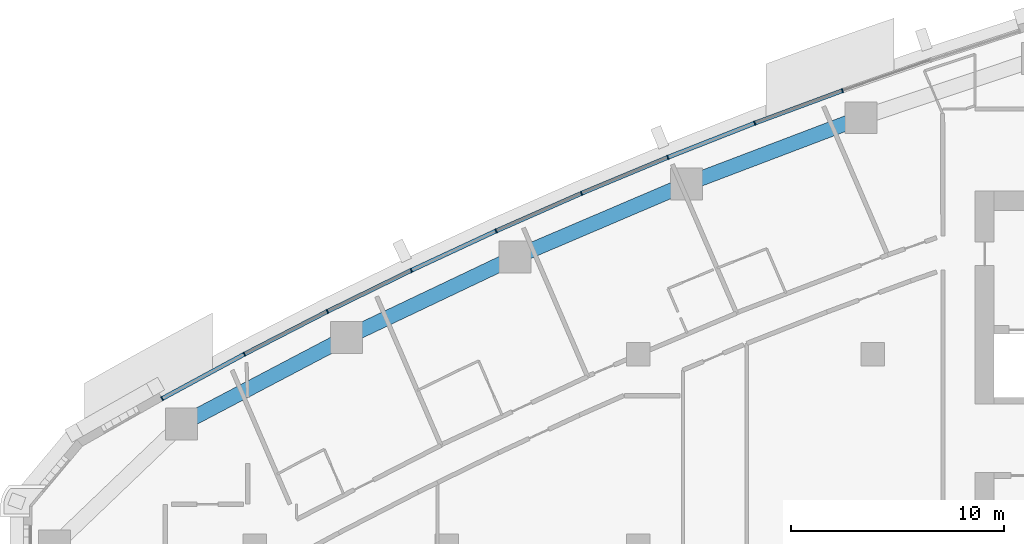
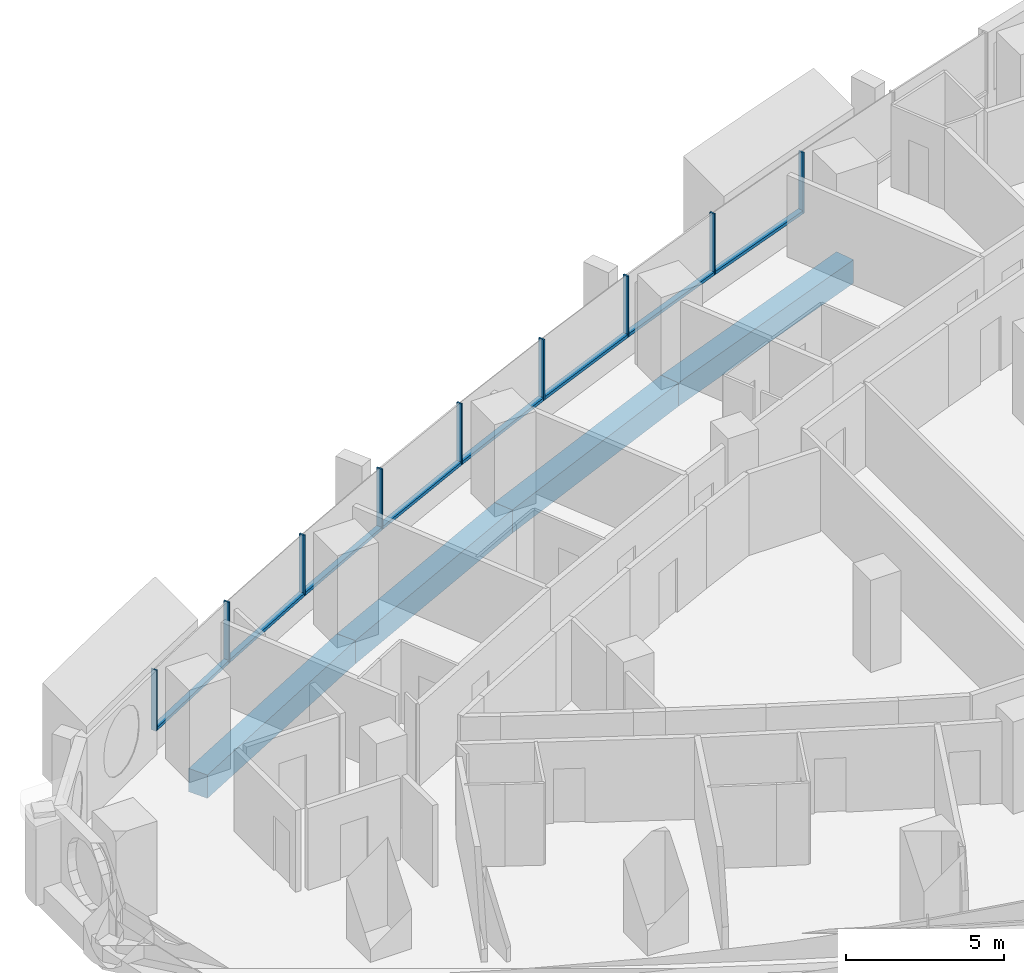
# One storey, part 5 of 17: 17 members, 4 beams, 5 elements without a shape of their own.
"""IFC4 building model written with IfcOpenShell, lengths in metres."""

from ifc_helpers import new_model, si_unit, direction, frame, origin, origin_2d, place, context, subcontext, project, spatial, rectangle, extrude, material, layer, layer_set, material_profile, profile_set, type_object, element, aggregate, save


model = new_model("IFC4")

# Units and contexts
model_context = context("Model", 3, precision=1e-05, world=origin(), true_north=direction((0.0, 1.0)))
body_context = subcontext(model_context, "Body", "Model", "MODEL_VIEW")
ifc_project = project(units=[si_unit("LENGTHUNIT", "METRE"), si_unit("AREAUNIT", "SQUARE_METRE"), si_unit("VOLUMEUNIT", "CUBIC_METRE"), si_unit("PLANEANGLEUNIT", "RADIAN"), si_unit("MASSUNIT", "GRAM", prefix="KILO")], contexts=[model_context])

# Site, building, storey
site_placement = place(None, origin())
site = spatial("IfcSite", under=ifc_project, at=site_placement, CompositionType="ELEMENT")
building_placement = place(site_placement, origin())
building = spatial("IfcBuilding", under=site, at=building_placement, Name="Ostrand Prow Hotel Tower", CompositionType="ELEMENT")
storey_placement = place(building_placement, frame((0.0, 0.0, 162.14990234375)))
storey = spatial("IfcBuildingStorey", under=building, at=storey_placement, Name="L40", CompositionType="ELEMENT", Elevation=162.14990234375)

# Beams
ifc_material_1 = material(Name="Concrete C70/85", Category="concrete")
ifc_material_profile_1 = material_profile(ifc_material_1, rectangle(XDim=0.699951171875, YDim=0.89990234375, at=origin_2d()), Name="RC 700x900")
ifc_profile_set_1 = profile_set([ifc_material_profile_1], Name="Concrete C70/85")
beam_type = type_object("IfcBeamType", Name="Edge beam 700x900 C70/85", PredefinedType="SPANDREL", material=ifc_profile_set_1)
for number, where, z_axis, x_axis, name in (
    (1, (44.438232421875, 20.093017578125, -0.75), (-0.93479358236, -0.355191439055, 0.0), (0.355191439055, -0.93479358236, 0.0), "Edge beam N2-N3"),
    (2, (36.255615234375, 16.98388671875, -0.75), (-0.919700966994, -0.392619575811, 0.0), (0.392619575811, -0.919700966994, 0.0), "Edge beam N3-N4"),
    (3, (28.205078125, 13.547119140625, -0.75), (-0.903083113352, -0.429465819803, 0.0), (0.429465819803, -0.903083113352, 0.0), "Edge beam N4-N5"),
    (4, (20.300048828125, 9.787841796875, -0.75), (-0.885016215308, -0.465560198731, 0.0), (0.465560198731, -0.885016215308, 0.0), "Edge beam N5-N6"),
):
    element("IfcBeam", number, at=place(storey_placement, frame(where, z_axis=z_axis, x_axis=x_axis)), inside=storey, type_object=beam_type, Name=name, PredefinedType="SPANDREL", context=body_context, shape_type="SweptSolid", body=[
        extrude(rectangle(XDim=0.699951171875, YDim=0.89990234375, at=origin_2d()), origin(), (0.0, 0.0, 1.0), 8.75341796875),
    ])

# Curtain wall, member
ifc_material_2 = material(Name="Insulated glass in bronze anodised frame", Category="glass")
ifc_layer = layer(ifc_material_2, 0.199951171875)
ifc_layer_set = layer_set([ifc_layer], Name="Insulated glass in bronze anodised frame")
curtain_wall_type = type_object("IfcCurtainWallType", Name="Strip curtain wall, fritted glass over bronze spandrel", PredefinedType="NOTDEFINED", material=ifc_layer_set)
curtain_wall_1_placement = place(storey_placement, origin())
curtain_wall_1 = element("IfcCurtainWall", 5, at=curtain_wall_1_placement, inside=storey, type_object=curtain_wall_type, Name="CW1 run CWN1", PredefinedType="NOTDEFINED")
ifc_material_3 = material(Name="Bronze anodised aluminium", Category="aluminium")
ifc_material_profile_2 = material_profile(ifc_material_3, rectangle(XDim=0.199951171875, YDim=0.06005859375, at=origin_2d()), Name="Mullion 60x200 bronze anodised aluminium")
ifc_profile_set_2 = profile_set([ifc_material_profile_2], Name="Bronze anodised aluminium")
member_type_1 = type_object("IfcMemberType", Name="Mullion 60x200 bronze anodised aluminium", PredefinedType="MULLION", material=ifc_profile_set_2)
member_1_placement = place(storey_placement, frame((43.5751953125, 21.3642578125, 0.900146484375), z_axis=(0.0, 0.0, 1.0), x_axis=(0.328428177424, -0.944528947293, 0.0)))
member_1 = element("IfcMember", 6, at=member_1_placement, type_object=member_type_1, Name="CW1 mullion 3", PredefinedType="MULLION", context=body_context, shape_type="SweptSolid", body=[
    extrude(rectangle(XDim=0.199951171875, YDim=0.06005859375, at=origin_2d()), origin(), (0.0, 0.0, 1.0), 2.349853515625),
])
aggregate(curtain_wall_1, [member_1])

# Curtain wall, members
curtain_wall_2_placement = place(storey_placement, origin())
curtain_wall_2 = element("IfcCurtainWall", 7, at=curtain_wall_2_placement, inside=storey, type_object=curtain_wall_type, Name="CW1 run CWN2", PredefinedType="NOTDEFINED")
member_2_placement = place(storey_placement, frame((39.462158203125, 19.8408203125, 0.900146484375), z_axis=(0.0, 0.0, 1.0), x_axis=(0.366116334636, -0.930569089059, 0.0)))
member_2 = element("IfcMember", 8, at=member_2_placement, type_object=member_type_1, Name="CW1 mullion 2", PredefinedType="MULLION", context=body_context, shape_type="SweptSolid", body=[
    extrude(rectangle(XDim=0.199951171875, YDim=0.06005859375, at=origin_2d()), origin(), (0.0, 0.0, 1.0), 2.349853515625),
])
member_3_placement = place(storey_placement, frame((35.380615234375, 18.235107421875, 0.900146484375), z_axis=(0.0, 0.0, 1.0), x_axis=(0.366116334636, -0.930569089059, 0.0)))
member_3 = element("IfcMember", 9, at=member_3_placement, type_object=member_type_1, Name="CW1 mullion 3", PredefinedType="MULLION", context=body_context, shape_type="SweptSolid", body=[
    extrude(rectangle(XDim=0.199951171875, YDim=0.06005859375, at=origin_2d()), origin(), (0.0, 0.0, 1.0), 2.349853515625),
])

curtain_wall_3_placement = place(storey_placement, origin())
curtain_wall_3 = element("IfcCurtainWall", 10, at=curtain_wall_3_placement, inside=storey, type_object=curtain_wall_type, Name="CW1 run CWN3", PredefinedType="NOTDEFINED")
member_4_placement = place(storey_placement, frame((31.332275390625, 16.54736328125, 0.900146484375), z_axis=(0.0, 0.0, 1.0), x_axis=(0.403213113347, -0.915106105993, 0.0)))
member_4 = element("IfcMember", 11, at=member_4_placement, type_object=member_type_1, Name="CW1 mullion 2", PredefinedType="MULLION", context=body_context, shape_type="SweptSolid", body=[
    extrude(rectangle(XDim=0.199951171875, YDim=0.06005859375, at=origin_2d()), origin(), (0.0, 0.0, 1.0), 2.349853515625),
])
member_5_placement = place(storey_placement, frame((27.318359375, 14.77880859375, 0.900146484375), z_axis=(0.0, 0.0, 1.0), x_axis=(0.403213113347, -0.915106105993, 0.0)))
member_5 = element("IfcMember", 12, at=member_5_placement, type_object=member_type_1, Name="CW1 mullion 3", PredefinedType="MULLION", context=body_context, shape_type="SweptSolid", body=[
    extrude(rectangle(XDim=0.199951171875, YDim=0.06005859375, at=origin_2d()), origin(), (0.0, 0.0, 1.0), 2.349853515625),
])

curtain_wall_4_placement = place(storey_placement, origin())
curtain_wall_4 = element("IfcCurtainWall", 13, at=curtain_wall_4_placement, inside=storey, type_object=curtain_wall_type, Name="CW1 run CWN4", PredefinedType="NOTDEFINED")
member_6_placement = place(storey_placement, frame((23.341064453125, 12.93017578125, 0.900146484375), z_axis=(0.0, 0.0, 1.0), x_axis=(0.439658592061, -0.898164975061, 0.0)))
member_6 = element("IfcMember", 14, at=member_6_placement, type_object=member_type_1, Name="CW1 mullion 2", PredefinedType="MULLION", context=body_context, shape_type="SweptSolid", body=[
    extrude(rectangle(XDim=0.199951171875, YDim=0.06005859375, at=origin_2d()), origin(), (0.0, 0.0, 1.0), 2.349853515625),
])
member_7_placement = place(storey_placement, frame((19.401611328125, 11.001708984375, 0.900146484375), z_axis=(0.0, 0.0, 1.0), x_axis=(0.439658592061, -0.898164975061, 0.0)))
member_7 = element("IfcMember", 15, at=member_7_placement, type_object=member_type_1, Name="CW1 mullion 3", PredefinedType="MULLION", context=body_context, shape_type="SweptSolid", body=[
    extrude(rectangle(XDim=0.199951171875, YDim=0.06005859375, at=origin_2d()), origin(), (0.0, 0.0, 1.0), 2.349853515625),
])

curtain_wall_5_placement = place(storey_placement, origin())
curtain_wall_5 = element("IfcCurtainWall", 16, at=curtain_wall_5_placement, inside=storey, type_object=curtain_wall_type, Name="CW1 run CWN5", PredefinedType="NOTDEFINED")
member_8_placement = place(storey_placement, frame((15.501708984375, 8.99462890625, 0.900146484375), z_axis=(0.0, 0.0, 1.0), x_axis=(0.475393901316, -0.879773060847, 0.0)))
member_8 = element("IfcMember", 17, at=member_8_placement, type_object=member_type_1, Name="CW1 mullion 2", PredefinedType="MULLION", context=body_context, shape_type="SweptSolid", body=[
    extrude(rectangle(XDim=0.199951171875, YDim=0.06005859375, at=origin_2d()), origin(), (0.0, 0.0, 1.0), 2.349853515625),
])
member_9_placement = place(storey_placement, frame((11.64306640625, 6.909423828125, 0.900146484375), z_axis=(0.0, 0.0, 1.0), x_axis=(0.475393901316, -0.879773060847, 0.0)))
member_9 = element("IfcMember", 18, at=member_9_placement, type_object=member_type_1, Name="CW1 mullion 3", PredefinedType="MULLION", context=body_context, shape_type="SweptSolid", body=[
    extrude(rectangle(XDim=0.199951171875, YDim=0.06005859375, at=origin_2d()), origin(), (0.0, 0.0, 1.0), 2.349853515625),
])

# Member
ifc_material_4 = material(Name="Bronze anodised aluminium", Category="aluminium")
ifc_material_profile_3 = material_profile(ifc_material_4, rectangle(XDim=0.199951171875, YDim=0.1201171875, at=origin_2d()), Name="Transom 120x200 bronze anodised aluminium")
ifc_profile_set_3 = profile_set([ifc_material_profile_3], Name="Bronze anodised aluminium")
member_type_2 = type_object("IfcMemberType", Name="Transom 120x200 bronze anodised aluminium", PredefinedType="USERDEFINED", material=ifc_profile_set_3)
member_10_placement = place(storey_placement, frame((43.547119140625, 21.353759765625, 0.960205078125), z_axis=(-0.937756929379, -0.347292299657, 0.0), x_axis=(0.347292299657, -0.937756929379, 0.0)))
member_10 = element("IfcMember", 19, at=member_10_placement, type_object=member_type_2, Name="CW1 transom 1.1", ObjectType="TRANSOM", PredefinedType="USERDEFINED", context=body_context, shape_type="SweptSolid", body=[
    extrude(rectangle(XDim=0.199951171875, YDim=0.1201171875, at=origin_2d()), origin(), (0.0, 0.0, 1.0), 4.326171875),
])

member_11_placement = place(storey_placement, frame((39.434326171875, 19.829833984375, 0.960205078125), z_axis=(-0.930563430162, -0.366130717701, 0.0), x_axis=(0.366130717701, -0.930563430162, 0.0)))
member_11 = element("IfcMember", 20, at=member_11_placement, type_object=member_type_2, Name="CW1 transom 2.1", ObjectType="TRANSOM", PredefinedType="USERDEFINED", context=body_context, shape_type="SweptSolid", body=[
    extrude(rectangle(XDim=0.199951171875, YDim=0.1201171875, at=origin_2d()), origin(), (0.0, 0.0, 1.0), 4.326171875),
])

aggregate(curtain_wall_2, [member_2, member_3, member_10, member_11])

member_12_placement = place(storey_placement, frame((35.352783203125, 18.223388671875, 0.960205078125), z_axis=(-0.923028493412, -0.384731595206, 0.0), x_axis=(0.384731595206, -0.923028493412, 0.0)))
member_12 = element("IfcMember", 21, at=member_12_placement, type_object=member_type_2, Name="CW1 transom 1.1", ObjectType="TRANSOM", PredefinedType="USERDEFINED", context=body_context, shape_type="SweptSolid", body=[
    extrude(rectangle(XDim=0.199951171875, YDim=0.1201171875, at=origin_2d()), origin(), (0.0, 0.0, 1.0), 4.325927734375),
])

member_13_placement = place(storey_placement, frame((31.3046875, 16.535400390625, 0.960205078125), z_axis=(-0.91509853977, -0.403230284715, 0.0), x_axis=(0.403230284715, -0.91509853977, 0.0)))
member_13 = element("IfcMember", 22, at=member_13_placement, type_object=member_type_2, Name="CW1 transom 2.1", ObjectType="TRANSOM", PredefinedType="USERDEFINED", context=body_context, shape_type="SweptSolid", body=[
    extrude(rectangle(XDim=0.199951171875, YDim=0.1201171875, at=origin_2d()), origin(), (0.0, 0.0, 1.0), 4.325927734375),
])

aggregate(curtain_wall_3, [member_4, member_5, member_12, member_13])

member_14_placement = place(storey_placement, frame((27.291259765625, 14.766357421875, 0.960205078125), z_axis=(-0.906796377468, -0.421568890944, 0.0), x_axis=(0.421568890944, -0.906796377468, 0.0)))
member_14 = element("IfcMember", 23, at=member_14_placement, type_object=member_type_2, Name="CW1 transom 1.1", ObjectType="TRANSOM", PredefinedType="USERDEFINED", context=body_context, shape_type="SweptSolid", body=[
    extrude(rectangle(XDim=0.199951171875, YDim=0.1201171875, at=origin_2d()), origin(), (0.0, 0.0, 1.0), 4.326171875),
])

member_15_placement = place(storey_placement, frame((23.314208984375, 12.9169921875, 0.960205078125), z_axis=(-0.89815413626, -0.439680733623, 0.0), x_axis=(0.439680733623, -0.89815413626, 0.0)))
member_15 = element("IfcMember", 24, at=member_15_placement, type_object=member_type_2, Name="CW1 transom 2.1", ObjectType="TRANSOM", PredefinedType="USERDEFINED", context=body_context, shape_type="SweptSolid", body=[
    extrude(rectangle(XDim=0.199951171875, YDim=0.1201171875, at=origin_2d()), origin(), (0.0, 0.0, 1.0), 4.326171875),
])

aggregate(curtain_wall_4, [member_6, member_7, member_14, member_15])

member_16_placement = place(storey_placement, frame((19.375, 10.988037109375, 0.960205078125), z_axis=(-0.88914020052, -0.457634902318, 0.0), x_axis=(0.457634902318, -0.88914020052, 0.0)))
member_16 = element("IfcMember", 25, at=member_16_placement, type_object=member_type_2, Name="CW1 transom 1.1", ObjectType="TRANSOM", PredefinedType="USERDEFINED", context=body_context, shape_type="SweptSolid", body=[
    extrude(rectangle(XDim=0.199951171875, YDim=0.1201171875, at=origin_2d()), origin(), (0.0, 0.0, 1.0), 4.325927734375),
])

member_17_placement = place(storey_placement, frame((15.475341796875, 8.980224609375, 0.960205078125), z_axis=(-0.879765206929, -0.475408435639, 0.0), x_axis=(0.475408435639, -0.879765206929, 0.0)))
member_17 = element("IfcMember", 26, at=member_17_placement, type_object=member_type_2, Name="CW1 transom 2.1", ObjectType="TRANSOM", PredefinedType="USERDEFINED", context=body_context, shape_type="SweptSolid", body=[
    extrude(rectangle(XDim=0.199951171875, YDim=0.1201171875, at=origin_2d()), origin(), (0.0, 0.0, 1.0), 4.326171875),
])

aggregate(curtain_wall_5, [member_8, member_9, member_16, member_17])

save(model, "model.ifc")
